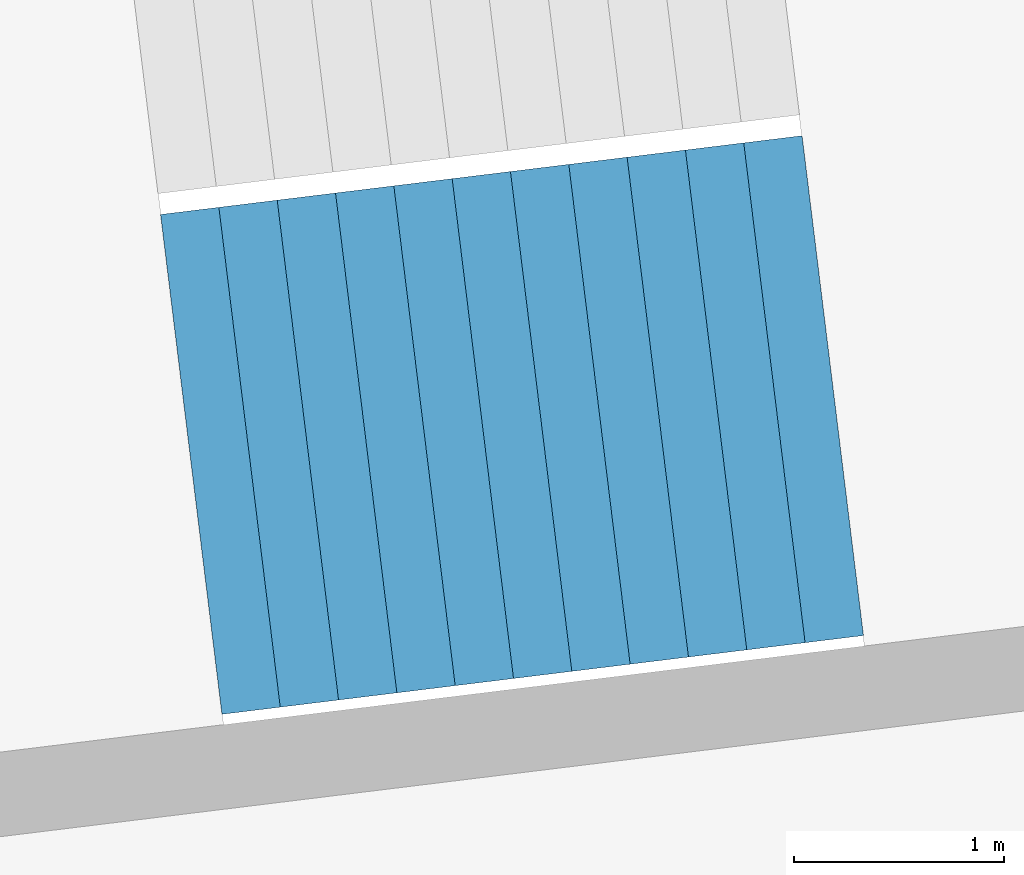
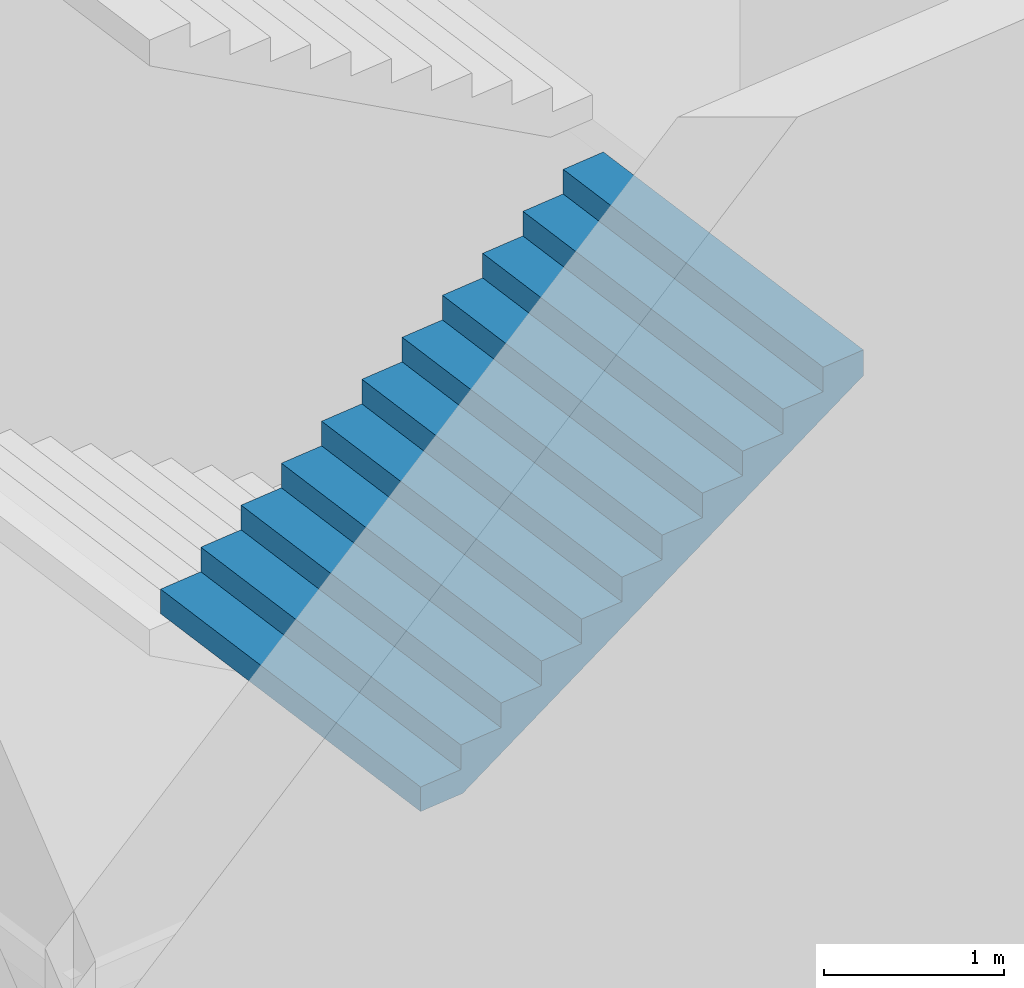
# One storey, part 59 of 74: 1 stair flight, 1 element without a shape of its own.
"""IFC4 building model written with IfcOpenShell, lengths in metres."""

from ifc_helpers import new_model, si_unit, direction, frame, origin, place, context, subcontext, project, spatial, triangles, material, type_object, element, aggregate, save


model = new_model("IFC4")

# Units and contexts
model_context = context("Model", 3, precision=1e-05, world=origin(), true_north=direction((0.0, 1.0)))
body_context = subcontext(model_context, "Body", "Model", "MODEL_VIEW")
ifc_project = project(units=[si_unit("LENGTHUNIT", "METRE"), si_unit("AREAUNIT", "SQUARE_METRE"), si_unit("VOLUMEUNIT", "CUBIC_METRE"), si_unit("PLANEANGLEUNIT", "RADIAN"), si_unit("MASSUNIT", "GRAM", prefix="KILO")], contexts=[model_context])

# Site, building, storey
site_placement = place(None, origin())
site = spatial("IfcSite", under=ifc_project, at=site_placement, CompositionType="ELEMENT")
building_placement = place(site_placement, origin())
building = spatial("IfcBuilding", under=site, at=building_placement, Name="Lantaw Convention Tower", CompositionType="ELEMENT")
storey_placement = place(building_placement, frame((0.0, 0.0, 6.5)))
storey = spatial("IfcBuildingStorey", under=building, at=storey_placement, Name="L01", CompositionType="ELEMENT", Elevation=6.5)

# Stair, stair flight
ifc_material = material(Name="Concrete C35/45", Category="concrete")
stair_type = type_object("IfcStairType", Name="Exit stair 2400 riser 166.67 in 4 flights", PredefinedType="HALF_TURN_STAIR", material=ifc_material)
stair_placement = place(storey_placement, origin())
stair = element("IfcStair", 1, at=stair_placement, inside=storey, type_object=stair_type, Name="Podium exit stair P1 L01", PredefinedType="HALF_TURN_STAIR")
stair_flight_type = type_object("IfcStairFlightType", Name="Stair flight 2400 riser 166.67", PredefinedType="STRAIGHT", material=ifc_material)
stair_flight_placement = place(storey_placement, frame((38.2763671875, 3.4404296875, 4.0), z_axis=(0.0, 0.0, 1.0), x_axis=(0.992546151641, 0.121869343405, 0.0)))
stair_flight = element("IfcStairFlight", 2, at=stair_flight_placement, type_object=stair_flight_type, Name="P1 flight 3", NumberOfRisers=12, NumberOfTreads=11, PredefinedType="STRAIGHT", RiserHeight=0.166666667, TreadLength=0.28, context=body_context, shape_type="Tessellation", body=[
    triangles([(0.0, 1.199951171875, 0.0), (0.0, 1.199951171875, 0.166666667), (0.28, 1.199951171875, 0.0), (0.28, 1.199951171875, 0.166666667), (0.28, 1.199951171875, 0.333333334), (0.29307345806906726, 1.199951171875, 0.0), (0.29307345806906726, 1.199951171875, 0.333333334), (0.56, 1.199951171875, 0.15888484670522965), (0.56, 1.199951171875, 0.333333334), (0.56, 1.199951171875, 0.500000001), (0.8400000000000001, 1.199951171875, 0.3255515137052296), (0.8400000000000001, 1.199951171875, 0.500000001), (0.8400000000000001, 1.199951171875, 0.666666668), (1.12, 1.199951171875, 0.4922181807052296), (1.12, 1.199951171875, 0.666666668), (1.12, 1.199951171875, 0.833333335), (1.4000000000000001, 1.199951171875, 0.6588848477052296), (1.4000000000000001, 1.199951171875, 0.833333335), (1.4000000000000001, 1.199951171875, 1.000000002), (1.6800000000000002, 1.199951171875, 0.8255515147052296), (1.6800000000000002, 1.199951171875, 1.000000002), (1.6800000000000002, 1.199951171875, 1.166666669), (1.9600000000000002, 1.199951171875, 0.9922181817052296), (1.9600000000000002, 1.199951171875, 1.166666669), (1.9600000000000002, 1.199951171875, 1.333333336), (2.24, 1.199951171875, 1.1588848487052295), (2.24, 1.199951171875, 1.333333336), (2.24, 1.199951171875, 1.5000000029999998), (2.5200000000000005, 1.199951171875, 1.3255515157052296), (2.5200000000000005, 1.199951171875, 1.5000000029999998), (2.5200000000000005, 1.199951171875, 1.66666667), (2.8000000000000003, 1.199951171875, 1.4922181827052294), (2.8000000000000003, 1.199951171875, 1.66666667), (2.8000000000000003, 1.199951171875, 1.833333337), (3.08, 1.199951171875, 1.6588848497052293), (3.08, 1.199951171875, 1.833333337), (0.0, -1.199951171875, 0.0), (0.0, -1.199951171875, 0.166666667), (0.28, -1.199951171875, 0.0), (0.28, -1.199951171875, 0.166666667), (0.28, -1.199951171875, 0.333333334), (0.29307345806906726, -1.199951171875, 0.0), (0.29307345806906726, -1.199951171875, 0.333333334), (0.56, -1.199951171875, 0.15888484670522965), (0.56, -1.199951171875, 0.333333334), (0.56, -1.199951171875, 0.500000001), (0.8400000000000001, -1.199951171875, 0.3255515137052296), (0.8400000000000001, -1.199951171875, 0.500000001), (0.8400000000000001, -1.199951171875, 0.666666668), (1.12, -1.199951171875, 0.4922181807052296), (1.12, -1.199951171875, 0.666666668), (1.12, -1.199951171875, 0.833333335), (1.4000000000000001, -1.199951171875, 0.6588848477052296), (1.4000000000000001, -1.199951171875, 0.833333335), (1.4000000000000001, -1.199951171875, 1.000000002), (1.6800000000000002, -1.199951171875, 0.8255515147052296), (1.6800000000000002, -1.199951171875, 1.000000002), (1.6800000000000002, -1.199951171875, 1.166666669), (1.9600000000000002, -1.199951171875, 0.9922181817052296), (1.9600000000000002, -1.199951171875, 1.166666669), (1.9600000000000002, -1.199951171875, 1.333333336), (2.24, -1.199951171875, 1.1588848487052295), (2.24, -1.199951171875, 1.333333336), (2.24, -1.199951171875, 1.5000000029999998), (2.5200000000000005, -1.199951171875, 1.3255515157052296), (2.5200000000000005, -1.199951171875, 1.5000000029999998), (2.5200000000000005, -1.199951171875, 1.66666667), (2.8000000000000003, -1.199951171875, 1.4922181827052294), (2.8000000000000003, -1.199951171875, 1.66666667), (2.8000000000000003, -1.199951171875, 1.833333337), (3.08, -1.199951171875, 1.6588848497052293), (3.08, -1.199951171875, 1.833333337), (0.0, 0.239990234375, 0.166666667), (0.0, 0.239990234375, 0.0), (0.0, 0.1199951171875, 0.166666667), (0.0, 0.1199951171875, 0.0), (0.0, 0.0, 0.166666667), (0.0, 0.0, 0.0), (0.0, -0.1199951171875, 0.166666667), (0.0, -0.1199951171875, 0.0), (0.0, -0.239990234375, 0.166666667), (0.0, -0.239990234375, 0.0), (0.28, 0.239990234375, 0.333333334), (0.28, 0.239990234375, 0.166666667), (0.28, 0.1199951171875, 0.333333334), (0.28, 0.1199951171875, 0.166666667), (0.28, 0.0, 0.333333334), (0.28, 0.0, 0.166666667), (0.28, -0.1199951171875, 0.333333334), (0.28, -0.1199951171875, 0.166666667), (0.28, -0.239990234375, 0.333333334), (0.28, -0.239990234375, 0.166666667), (0.56, 0.239990234375, 0.500000001), (0.56, 0.239990234375, 0.333333334), (0.56, 0.1199951171875, 0.500000001), (0.56, 0.1199951171875, 0.333333334), (0.56, 0.0, 0.500000001), (0.56, 0.0, 0.333333334), (0.56, -0.1199951171875, 0.500000001), (0.56, -0.1199951171875, 0.333333334), (0.56, -0.239990234375, 0.500000001), (0.56, -0.239990234375, 0.333333334), (0.8400000000000001, 0.239990234375, 0.666666668), (0.8400000000000001, 0.239990234375, 0.500000001), (0.8400000000000001, 0.1199951171875, 0.666666668), (0.8400000000000001, 0.1199951171875, 0.500000001), (0.8400000000000001, 0.0, 0.666666668), (0.8400000000000001, 0.0, 0.500000001), (0.8400000000000001, -0.1199951171875, 0.666666668), (0.8400000000000001, -0.1199951171875, 0.500000001), (0.8400000000000001, -0.239990234375, 0.666666668), (0.8400000000000001, -0.239990234375, 0.500000001), (1.12, 0.239990234375, 0.833333335), (1.12, 0.239990234375, 0.666666668), (1.12, 0.1199951171875, 0.833333335), (1.12, 0.1199951171875, 0.666666668), (1.12, 0.0, 0.833333335), (1.12, 0.0, 0.666666668), (1.12, -0.1199951171875, 0.833333335), (1.12, -0.1199951171875, 0.666666668), (1.12, -0.239990234375, 0.833333335), (1.12, -0.239990234375, 0.666666668), (1.4000000000000001, 0.239990234375, 1.000000002), (1.4000000000000001, 0.239990234375, 0.833333335), (1.4000000000000001, 0.1199951171875, 1.000000002), (1.4000000000000001, 0.1199951171875, 0.833333335), (1.4000000000000001, 0.0, 1.000000002), (1.4000000000000001, 0.0, 0.833333335), (1.4000000000000001, -0.1199951171875, 1.000000002), (1.4000000000000001, -0.1199951171875, 0.833333335), (1.4000000000000001, -0.239990234375, 1.000000002), (1.4000000000000001, -0.239990234375, 0.833333335), (1.6800000000000002, 0.239990234375, 1.166666669), (1.6800000000000002, 0.239990234375, 1.000000002), (1.6800000000000002, 0.1199951171875, 1.166666669), (1.6800000000000002, 0.1199951171875, 1.000000002), (1.6800000000000002, 0.0, 1.166666669), (1.6800000000000002, 0.0, 1.000000002), (1.6800000000000002, -0.1199951171875, 1.166666669), (1.6800000000000002, -0.1199951171875, 1.000000002), (1.6800000000000002, -0.239990234375, 1.166666669), (1.6800000000000002, -0.239990234375, 1.000000002), (1.9600000000000002, 0.239990234375, 1.333333336), (1.9600000000000002, 0.239990234375, 1.166666669), (1.9600000000000002, 0.1199951171875, 1.333333336), (1.9600000000000002, 0.1199951171875, 1.166666669), (1.9600000000000002, 0.0, 1.333333336), (1.9600000000000002, 0.0, 1.166666669), (1.9600000000000002, -0.1199951171875, 1.333333336), (1.9600000000000002, -0.1199951171875, 1.166666669), (1.9600000000000002, -0.239990234375, 1.333333336), (1.9600000000000002, -0.239990234375, 1.166666669), (2.24, 0.239990234375, 1.5000000029999998), (2.24, 0.239990234375, 1.333333336), (2.24, 0.1199951171875, 1.5000000029999998), (2.24, 0.1199951171875, 1.333333336), (2.24, 0.0, 1.5000000029999998), (2.24, 0.0, 1.333333336), (2.24, -0.1199951171875, 1.5000000029999998), (2.24, -0.1199951171875, 1.333333336), (2.24, -0.239990234375, 1.5000000029999998), (2.24, -0.239990234375, 1.333333336), (2.5200000000000005, 0.239990234375, 1.66666667), (2.5200000000000005, 0.239990234375, 1.5000000029999998), (2.5200000000000005, 0.1199951171875, 1.66666667), (2.5200000000000005, 0.1199951171875, 1.5000000029999998), (2.5200000000000005, 0.0, 1.66666667), (2.5200000000000005, 0.0, 1.5000000029999998), (2.5200000000000005, -0.1199951171875, 1.66666667), (2.5200000000000005, -0.1199951171875, 1.5000000029999998), (2.5200000000000005, -0.239990234375, 1.66666667), (2.5200000000000005, -0.239990234375, 1.5000000029999998), (2.8000000000000003, 0.239990234375, 1.833333337), (2.8000000000000003, 0.239990234375, 1.66666667), (2.8000000000000003, 0.1199951171875, 1.833333337), (2.8000000000000003, 0.1199951171875, 1.66666667), (2.8000000000000003, 0.0, 1.833333337), (2.8000000000000003, 0.0, 1.66666667), (2.8000000000000003, -0.1199951171875, 1.833333337), (2.8000000000000003, -0.1199951171875, 1.66666667), (2.8000000000000003, -0.239990234375, 1.833333337), (2.8000000000000003, -0.239990234375, 1.66666667), (0.29307345806906726, 0.239990234375, 0.333333334), (0.29307345806906726, 0.1199951171875, 0.333333334), (0.29307345806906726, 0.0, 0.333333334), (0.29307345806906726, -0.1199951171875, 0.333333334), (0.29307345806906726, -0.239990234375, 0.333333334), (3.08, 0.239990234375, 1.833333337), (3.08, 0.1199951171875, 1.833333337), (3.08, 0.0, 1.833333337), (3.08, -0.1199951171875, 1.833333337), (3.08, -0.239990234375, 1.833333337), (3.08, 0.239990234375, 1.6588848497052293), (3.08, 0.1199951171875, 1.6588848497052293), (3.08, 0.0, 1.6588848497052293), (3.08, -0.1199951171875, 1.6588848497052293), (3.08, -0.239990234375, 1.6588848497052293), (2.8000000000000003, 0.239990234375, 1.4922181827052294), (2.8000000000000003, 0.1199951171875, 1.4922181827052294), (2.8000000000000003, 0.0, 1.4922181827052294), (2.8000000000000003, -0.1199951171875, 1.4922181827052294), (2.8000000000000003, -0.239990234375, 1.4922181827052294), (2.5200000000000005, 0.239990234375, 1.3255515157052296), (2.5200000000000005, 0.1199951171875, 1.3255515157052296), (2.5200000000000005, 0.0, 1.3255515157052296), (2.5200000000000005, -0.1199951171875, 1.3255515157052296), (2.5200000000000005, -0.239990234375, 1.3255515157052296), (2.24, 0.239990234375, 1.1588848487052295), (2.24, 0.1199951171875, 1.1588848487052295), (2.24, 0.0, 1.1588848487052295), (2.24, -0.1199951171875, 1.1588848487052295), (2.24, -0.239990234375, 1.1588848487052295), (1.9600000000000002, 0.239990234375, 0.9922181817052296), (1.9600000000000002, 0.1199951171875, 0.9922181817052296), (1.9600000000000002, 0.0, 0.9922181817052296), (1.9600000000000002, -0.1199951171875, 0.9922181817052296), (1.9600000000000002, -0.239990234375, 0.9922181817052296), (1.6800000000000002, 0.239990234375, 0.8255515147052296), (1.6800000000000002, 0.1199951171875, 0.8255515147052296), (1.6800000000000002, 0.0, 0.8255515147052296), (1.6800000000000002, -0.1199951171875, 0.8255515147052296), (1.6800000000000002, -0.239990234375, 0.8255515147052296), (1.4000000000000001, 0.239990234375, 0.6588848477052296), (1.4000000000000001, 0.1199951171875, 0.6588848477052296), (1.4000000000000001, 0.0, 0.6588848477052296), (1.4000000000000001, -0.1199951171875, 0.6588848477052296), (1.4000000000000001, -0.239990234375, 0.6588848477052296), (1.12, 0.239990234375, 0.4922181807052296), (1.12, 0.1199951171875, 0.4922181807052296), (1.12, 0.0, 0.4922181807052296), (1.12, -0.1199951171875, 0.4922181807052296), (1.12, -0.239990234375, 0.4922181807052296), (0.8400000000000001, 0.239990234375, 0.3255515137052296), (0.8400000000000001, 0.1199951171875, 0.3255515137052296), (0.8400000000000001, 0.0, 0.3255515137052296), (0.8400000000000001, -0.1199951171875, 0.3255515137052296), (0.8400000000000001, -0.239990234375, 0.3255515137052296), (0.56, 0.239990234375, 0.15888484670522965), (0.56, 0.1199951171875, 0.15888484670522965), (0.56, 0.0, 0.15888484670522965), (0.56, -0.1199951171875, 0.15888484670522965), (0.56, -0.239990234375, 0.15888484670522965), (0.29307345806906726, 0.239990234375, 0.0), (0.29307345806906726, 0.1199951171875, 0.0), (0.29307345806906726, 0.0, 0.0), (0.29307345806906726, -0.1199951171875, 0.0), (0.29307345806906726, -0.239990234375, 0.0), (0.28, 0.239990234375, 0.0), (0.28, 0.1199951171875, 0.0), (0.28, 0.0, 0.0), (0.28, -0.1199951171875, 0.0), (0.28, -0.239990234375, 0.0)], [[1, 4, 3], [1, 2, 4], [3, 4, 6], [4, 7, 6], [4, 5, 7], [6, 9, 8], [6, 7, 9], [8, 9, 11], [9, 12, 11], [9, 10, 12], [11, 12, 14], [12, 15, 14], [12, 13, 15], [14, 15, 17], [15, 18, 17], [15, 16, 18], [17, 18, 20], [18, 21, 20], [18, 19, 21], [20, 21, 23], [21, 24, 23], [21, 22, 24], [23, 24, 26], [24, 27, 26], [24, 25, 27], [26, 27, 29], [27, 30, 29], [27, 28, 30], [29, 30, 32], [30, 33, 32], [30, 31, 33], [32, 33, 35], [33, 36, 35], [33, 34, 36], [37, 39, 40], [37, 40, 38], [39, 42, 40], [40, 42, 43], [40, 43, 41], [42, 44, 45], [42, 45, 43], [44, 47, 45], [45, 47, 48], [45, 48, 46], [47, 50, 48], [48, 50, 51], [48, 51, 49], [50, 53, 51], [51, 53, 54], [51, 54, 52], [53, 56, 54], [54, 56, 57], [54, 57, 55], [56, 59, 57], [57, 59, 60], [57, 60, 58], [59, 62, 60], [60, 62, 63], [60, 63, 61], [62, 65, 63], [63, 65, 66], [63, 66, 64], [65, 68, 66], [66, 68, 69], [66, 69, 67], [68, 71, 69], [69, 71, 72], [69, 72, 70], [1, 73, 2], [1, 74, 73], [74, 75, 73], [74, 76, 75], [76, 77, 75], [76, 78, 77], [78, 79, 77], [78, 80, 79], [80, 81, 79], [80, 82, 81], [82, 38, 81], [82, 37, 38], [4, 83, 5], [4, 84, 83], [84, 85, 83], [84, 86, 85], [86, 87, 85], [86, 88, 87], [88, 89, 87], [88, 90, 89], [90, 91, 89], [90, 92, 91], [92, 41, 91], [92, 40, 41], [9, 93, 10], [9, 94, 93], [94, 95, 93], [94, 96, 95], [96, 97, 95], [96, 98, 97], [98, 99, 97], [98, 100, 99], [100, 101, 99], [100, 102, 101], [102, 46, 101], [102, 45, 46], [12, 103, 13], [12, 104, 103], [104, 105, 103], [104, 106, 105], [106, 107, 105], [106, 108, 107], [108, 109, 107], [108, 110, 109], [110, 111, 109], [110, 112, 111], [112, 49, 111], [112, 48, 49], [15, 113, 16], [15, 114, 113], [114, 115, 113], [114, 116, 115], [116, 117, 115], [116, 118, 117], [118, 119, 117], [118, 120, 119], [120, 121, 119], [120, 122, 121], [122, 52, 121], [122, 51, 52], [18, 123, 19], [18, 124, 123], [124, 125, 123], [124, 126, 125], [126, 127, 125], [126, 128, 127], [128, 129, 127], [128, 130, 129], [130, 131, 129], [130, 132, 131], [132, 55, 131], [132, 54, 55], [21, 133, 22], [21, 134, 133], [134, 135, 133], [134, 136, 135], [136, 137, 135], [136, 138, 137], [138, 139, 137], [138, 140, 139], [140, 141, 139], [140, 142, 141], [142, 58, 141], [142, 57, 58], [24, 143, 25], [24, 144, 143], [144, 145, 143], [144, 146, 145], [146, 147, 145], [146, 148, 147], [148, 149, 147], [148, 150, 149], [150, 151, 149], [150, 152, 151], [152, 61, 151], [152, 60, 61], [27, 153, 28], [27, 154, 153], [154, 155, 153], [154, 156, 155], [156, 157, 155], [156, 158, 157], [158, 159, 157], [158, 160, 159], [160, 161, 159], [160, 162, 161], [162, 64, 161], [162, 63, 64], [30, 163, 31], [30, 164, 163], [164, 165, 163], [164, 166, 165], [166, 167, 165], [166, 168, 167], [168, 169, 167], [168, 170, 169], [170, 171, 169], [170, 172, 171], [172, 67, 171], [172, 66, 67], [33, 173, 34], [33, 174, 173], [174, 175, 173], [174, 176, 175], [176, 177, 175], [176, 178, 177], [178, 179, 177], [178, 180, 179], [180, 181, 179], [180, 182, 181], [182, 70, 181], [182, 69, 70], [2, 84, 4], [2, 73, 84], [73, 86, 84], [73, 75, 86], [75, 88, 86], [75, 77, 88], [77, 90, 88], [77, 79, 90], [79, 92, 90], [79, 81, 92], [81, 40, 92], [81, 38, 40], [5, 183, 7], [5, 83, 183], [83, 184, 183], [83, 85, 184], [85, 185, 184], [85, 87, 185], [87, 186, 185], [87, 89, 186], [89, 187, 186], [89, 91, 187], [91, 43, 187], [91, 41, 43], [7, 94, 9], [7, 183, 94], [183, 96, 94], [183, 184, 96], [184, 98, 96], [184, 185, 98], [185, 100, 98], [185, 186, 100], [186, 102, 100], [186, 187, 102], [187, 45, 102], [187, 43, 45], [10, 104, 12], [10, 93, 104], [93, 106, 104], [93, 95, 106], [95, 108, 106], [95, 97, 108], [97, 110, 108], [97, 99, 110], [99, 112, 110], [99, 101, 112], [101, 48, 112], [101, 46, 48], [13, 114, 15], [13, 103, 114], [103, 116, 114], [103, 105, 116], [105, 118, 116], [105, 107, 118], [107, 120, 118], [107, 109, 120], [109, 122, 120], [109, 111, 122], [111, 51, 122], [111, 49, 51], [16, 124, 18], [16, 113, 124], [113, 126, 124], [113, 115, 126], [115, 128, 126], [115, 117, 128], [117, 130, 128], [117, 119, 130], [119, 132, 130], [119, 121, 132], [121, 54, 132], [121, 52, 54], [19, 134, 21], [19, 123, 134], [123, 136, 134], [123, 125, 136], [125, 138, 136], [125, 127, 138], [127, 140, 138], [127, 129, 140], [129, 142, 140], [129, 131, 142], [131, 57, 142], [131, 55, 57], [22, 144, 24], [22, 133, 144], [133, 146, 144], [133, 135, 146], [135, 148, 146], [135, 137, 148], [137, 150, 148], [137, 139, 150], [139, 152, 150], [139, 141, 152], [141, 60, 152], [141, 58, 60], [25, 154, 27], [25, 143, 154], [143, 156, 154], [143, 145, 156], [145, 158, 156], [145, 147, 158], [147, 160, 158], [147, 149, 160], [149, 162, 160], [149, 151, 162], [151, 63, 162], [151, 61, 63], [28, 164, 30], [28, 153, 164], [153, 166, 164], [153, 155, 166], [155, 168, 166], [155, 157, 168], [157, 170, 168], [157, 159, 170], [159, 172, 170], [159, 161, 172], [161, 66, 172], [161, 64, 66], [31, 174, 33], [31, 163, 174], [163, 176, 174], [163, 165, 176], [165, 178, 176], [165, 167, 178], [167, 180, 178], [167, 169, 180], [169, 182, 180], [169, 171, 182], [171, 69, 182], [171, 67, 69], [34, 188, 36], [34, 173, 188], [173, 189, 188], [173, 175, 189], [175, 190, 189], [175, 177, 190], [177, 191, 190], [177, 179, 191], [179, 192, 191], [179, 181, 192], [181, 72, 192], [181, 70, 72], [36, 193, 35], [36, 188, 193], [188, 194, 193], [188, 189, 194], [189, 195, 194], [189, 190, 195], [190, 196, 195], [190, 191, 196], [191, 197, 196], [191, 192, 197], [192, 71, 197], [192, 72, 71], [35, 198, 32], [35, 193, 198], [193, 199, 198], [193, 194, 199], [194, 200, 199], [194, 195, 200], [195, 201, 200], [195, 196, 201], [196, 202, 201], [196, 197, 202], [197, 68, 202], [197, 71, 68], [32, 203, 29], [32, 198, 203], [198, 204, 203], [198, 199, 204], [199, 205, 204], [199, 200, 205], [200, 206, 205], [200, 201, 206], [201, 207, 206], [201, 202, 207], [202, 65, 207], [202, 68, 65], [29, 208, 26], [29, 203, 208], [203, 209, 208], [203, 204, 209], [204, 210, 209], [204, 205, 210], [205, 211, 210], [205, 206, 211], [206, 212, 211], [206, 207, 212], [207, 62, 212], [207, 65, 62], [26, 213, 23], [26, 208, 213], [208, 214, 213], [208, 209, 214], [209, 215, 214], [209, 210, 215], [210, 216, 215], [210, 211, 216], [211, 217, 216], [211, 212, 217], [212, 59, 217], [212, 62, 59], [23, 218, 20], [23, 213, 218], [213, 219, 218], [213, 214, 219], [214, 220, 219], [214, 215, 220], [215, 221, 220], [215, 216, 221], [216, 222, 221], [216, 217, 222], [217, 56, 222], [217, 59, 56], [20, 223, 17], [20, 218, 223], [218, 224, 223], [218, 219, 224], [219, 225, 224], [219, 220, 225], [220, 226, 225], [220, 221, 226], [221, 227, 226], [221, 222, 227], [222, 53, 227], [222, 56, 53], [17, 228, 14], [17, 223, 228], [223, 229, 228], [223, 224, 229], [224, 230, 229], [224, 225, 230], [225, 231, 230], [225, 226, 231], [226, 232, 231], [226, 227, 232], [227, 50, 232], [227, 53, 50], [14, 233, 11], [14, 228, 233], [228, 234, 233], [228, 229, 234], [229, 235, 234], [229, 230, 235], [230, 236, 235], [230, 231, 236], [231, 237, 236], [231, 232, 237], [232, 47, 237], [232, 50, 47], [11, 238, 8], [11, 233, 238], [233, 239, 238], [233, 234, 239], [234, 240, 239], [234, 235, 240], [235, 241, 240], [235, 236, 241], [236, 242, 241], [236, 237, 242], [237, 44, 242], [237, 47, 44], [8, 243, 6], [8, 238, 243], [238, 244, 243], [238, 239, 244], [239, 245, 244], [239, 240, 245], [240, 246, 245], [240, 241, 246], [241, 247, 246], [241, 242, 247], [242, 42, 247], [242, 44, 42], [6, 248, 3], [6, 243, 248], [243, 249, 248], [243, 244, 249], [244, 250, 249], [244, 245, 250], [245, 251, 250], [245, 246, 251], [246, 252, 251], [246, 247, 252], [247, 39, 252], [247, 42, 39], [3, 74, 1], [3, 248, 74], [248, 76, 74], [248, 249, 76], [249, 78, 76], [249, 250, 78], [250, 80, 78], [250, 251, 80], [251, 82, 80], [251, 252, 82], [252, 37, 82], [252, 39, 37]], closed=True),
])
aggregate(stair, [stair_flight])

save(model, "model.ifc")
